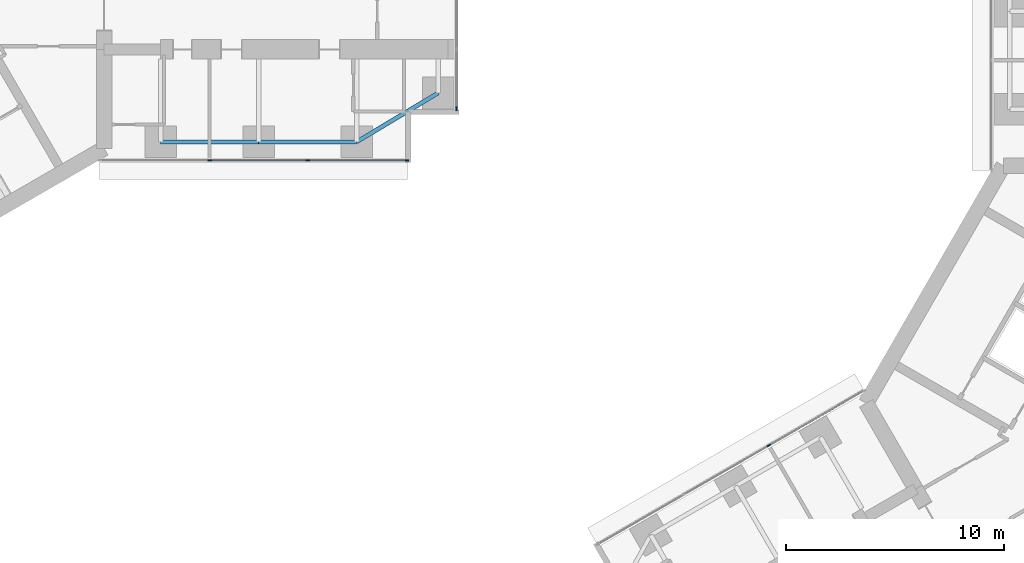
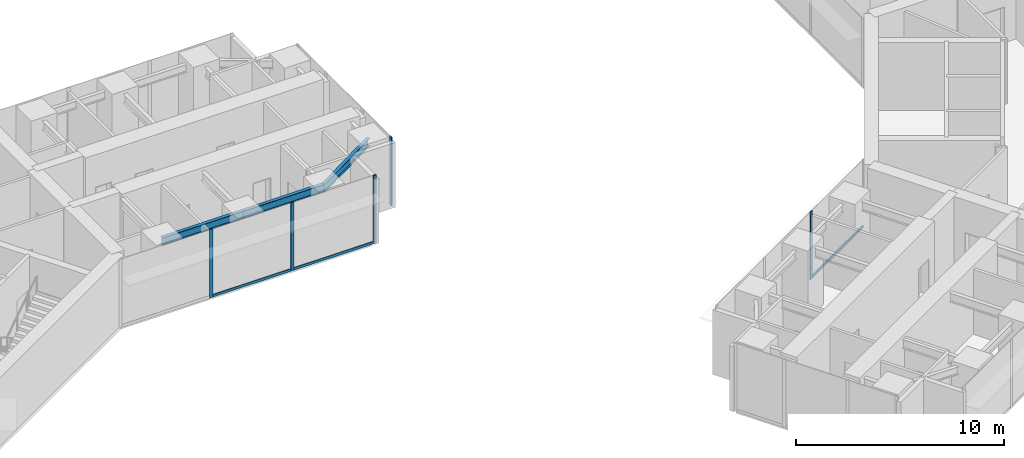
# One storey, part 5 of 24: 8 members, 3 beams, 3 elements without a shape of their own.
"""IFC4 building model written with IfcOpenShell, lengths in metres."""

from ifc_helpers import new_model, si_unit, direction, frame, origin, origin_2d, place, context, subcontext, project, spatial, rectangle, i_section, extrude, material, material_profile, profile_set, type_object, element, aggregate, save


model = new_model("IFC4")

# Units and contexts
model_context = context("Model", 3, precision=1e-05, world=origin(), true_north=direction((0.0, 1.0)))
body_context = subcontext(model_context, "Body", "Model", "MODEL_VIEW")
ifc_project = project(units=[si_unit("LENGTHUNIT", "METRE"), si_unit("AREAUNIT", "SQUARE_METRE"), si_unit("VOLUMEUNIT", "CUBIC_METRE"), si_unit("PLANEANGLEUNIT", "RADIAN"), si_unit("MASSUNIT", "GRAM", prefix="KILO")], contexts=[model_context])

# Site, building, storey
site_placement = place(None, origin())
site = spatial("IfcSite", under=ifc_project, at=site_placement, CompositionType="ELEMENT")
building_placement = place(site_placement, origin())
building = spatial("IfcBuilding", under=site, at=building_placement, Name="Upepo Twin Towers", CompositionType="ELEMENT")
storey_placement = place(building_placement, frame((0.0, 0.0, 48.5)))
storey = spatial("IfcBuildingStorey", under=building, at=storey_placement, Name="L11", CompositionType="ELEMENT", Elevation=48.5)

# Beams
ifc_material_1 = material(Name="Steel S355", Category="steel")
ifc_material_profile_1 = material_profile(ifc_material_1, i_section(OverallWidth=0.1904296875, OverallDepth=0.45703125, WebThickness=0.009033203125, FlangeThickness=0.014404296875, FilletRadius=0.01025390625, at=origin_2d()), Name="UB 457x191x74")
ifc_profile_set_1 = profile_set([ifc_material_profile_1], Name="Steel S355")
beam_type = type_object("IfcBeamType", Name="Beam UB 457x191x74", PredefinedType="BEAM", material=ifc_profile_set_1)
for number, where, z_axis, x_axis, name in (
    (1, (13.5, -6.0, 3.571533203125), (1.0, 0.0, 0.0), (0.0, 1.0, 0.0), "T1 edge beam AR 13.5-18.0"),
    (2, (18.0, -6.0, 3.571533203125), (1.0, 0.0, 0.0), (0.0, 1.0, 0.0), "T1 edge beam AR 18.0-22.5"),
):
    element("IfcBeam", number, at=place(storey_placement, frame(where, z_axis=z_axis, x_axis=x_axis)), inside=storey, type_object=beam_type, Name=name, PredefinedType="BEAM", context=body_context, shape_type="SweptSolid", body=[
        extrude(i_section(OverallWidth=0.1904296875, OverallDepth=0.45703125, WebThickness=0.009033203125, FlangeThickness=0.014404296875, FilletRadius=0.01025390625, at=origin_2d()), origin(), (0.0, 0.0, 1.0), 4.5),
    ])
beam_placement = place(storey_placement, frame((22.5, -6.0, 3.571533203125), z_axis=(0.857492925713, 0.514495755428, 0.0), x_axis=(-0.514495755428, 0.857492925713, 0.0)))
element("IfcBeam", 3, at=beam_placement, inside=storey, type_object=beam_type, Name="T1 nose edge beam AR", PredefinedType="BEAM", context=body_context, shape_type="SweptSolid", body=[
    extrude(i_section(OverallWidth=0.1904296875, OverallDepth=0.45703125, WebThickness=0.009033203125, FlangeThickness=0.014404296875, FilletRadius=0.01025390625, at=origin_2d()), origin(), (0.0, 0.0, 1.0), 4.373291015625),
])

# Curtain wall, members
ifc_material_2 = material(Name="Aluminium and fritted glass", Category="aluminium")
curtain_wall_type = type_object("IfcCurtainWallType", Name="Tower curtain wall TW1, fritted glass", PredefinedType="NOTDEFINED", material=ifc_material_2)
curtain_wall_1_placement = place(storey_placement, origin())
curtain_wall_1 = element("IfcCurtainWall", 4, at=curtain_wall_1_placement, inside=storey, type_object=curtain_wall_type, Name="T1 L11 wing A flank R curtain wall", PredefinedType="NOTDEFINED")
ifc_material_3 = material(Name="Aluminium mullion", Category="aluminium")
ifc_material_profile_2 = material_profile(ifc_material_3, rectangle(XDim=0.06494140625, YDim=0.179931640625, at=origin_2d()), Name="MULLION 65x180")
ifc_profile_set_2 = profile_set([ifc_material_profile_2], Name="Aluminium mullion")
member_type_1 = type_object("IfcMemberType", Name="Mullion 65x180 TW1", PredefinedType="MULLION", material=ifc_profile_set_2)
member_1_placement = place(storey_placement, frame((24.8173828125, -6.85009765625, 0.0), z_axis=(0.0, 0.0, 1.0), x_axis=(0.0, -1.0, 0.0)))
member_1 = element("IfcMember", 5, at=member_1_placement, type_object=member_type_1, Name="T1 L11 wing A flank R curtain wall mullion 1", PredefinedType="MULLION", context=body_context, shape_type="SweptSolid", body=[
    extrude(rectangle(XDim=0.06494140625, YDim=0.179931640625, at=origin_2d()), origin(), (0.0, 0.0, 1.0), 4.0),
])
member_2_placement = place(storey_placement, frame((20.25, -6.85009765625, 0.0), z_axis=(0.0, 0.0, 1.0), x_axis=(0.0, -1.0, 0.0)))
member_2 = element("IfcMember", 6, at=member_2_placement, type_object=member_type_1, Name="T1 L11 wing A flank R curtain wall mullion 2", PredefinedType="MULLION", context=body_context, shape_type="SweptSolid", body=[
    extrude(rectangle(XDim=0.06494140625, YDim=0.179931640625, at=origin_2d()), origin(), (0.0, 0.0, 1.0), 4.0),
])
member_3_placement = place(storey_placement, frame((15.75, -6.85009765625, 0.0), z_axis=(0.0, 0.0, 1.0), x_axis=(0.0, -1.0, 0.0)))
member_3 = element("IfcMember", 7, at=member_3_placement, type_object=member_type_1, Name="T1 L11 wing A flank R curtain wall mullion 3", PredefinedType="MULLION", context=body_context, shape_type="SweptSolid", body=[
    extrude(rectangle(XDim=0.06494140625, YDim=0.179931640625, at=origin_2d()), origin(), (0.0, 0.0, 1.0), 4.0),
])

# Curtain wall, member
curtain_wall_2_placement = place(storey_placement, origin())
curtain_wall_2 = element("IfcCurtainWall", 8, at=curtain_wall_2_placement, inside=storey, type_object=curtain_wall_type, Name="T1 L11 wing A nose curtain wall", PredefinedType="NOTDEFINED")
member_4_placement = place(storey_placement, frame((27.10009765625, -4.467529296875, 0.0), z_axis=(0.0, 0.0, 1.0), x_axis=(-1.0, 0.0, 0.0)))
member_4 = element("IfcMember", 9, at=member_4_placement, type_object=member_type_1, Name="T1 L11 wing A nose curtain wall mullion 1", PredefinedType="MULLION", context=body_context, shape_type="SweptSolid", body=[
    extrude(rectangle(XDim=0.06494140625, YDim=0.179931640625, at=origin_2d()), origin(), (0.0, 0.0, 1.0), 4.0),
])
aggregate(curtain_wall_2, [member_4])

curtain_wall_3_placement = place(storey_placement, origin())
curtain_wall_3 = element("IfcCurtainWall", 10, at=curtain_wall_3_placement, inside=storey, type_object=curtain_wall_type, Name="T2 L11 wing B flank R curtain wall", PredefinedType="NOTDEFINED")
member_5_placement = place(storey_placement, frame((41.43505859375, -19.942626953125, 0.0), z_axis=(0.0, 0.0, 1.0), x_axis=(-0.500000024426, 0.866025389682, 0.0)))
member_5 = element("IfcMember", 11, at=member_5_placement, type_object=member_type_1, Name="T2 L11 wing B flank R curtain wall mullion 3", PredefinedType="MULLION", context=body_context, shape_type="SweptSolid", body=[
    extrude(rectangle(XDim=0.06494140625, YDim=0.179931640625, at=origin_2d()), origin(), (0.0, 0.0, 1.0), 4.0),
])

# Member
ifc_material_4 = material(Name="Aluminium transom", Category="aluminium")
ifc_material_profile_3 = material_profile(ifc_material_4, rectangle(XDim=0.06494140625, YDim=0.14990234375, at=origin_2d()), Name="TRANSOM 65x150")
ifc_profile_set_3 = profile_set([ifc_material_profile_3], Name="Aluminium transom")
member_type_2 = type_object("IfcMemberType", Name="Transom 65x150 TW1", PredefinedType="USERDEFINED", material=ifc_profile_set_3)
member_6_placement = place(storey_placement, frame((24.784912109375, -6.85009765625, 0.074951171875), z_axis=(-1.0, 0.0, 0.0), x_axis=(0.0, -1.0, 0.0)))
member_6 = element("IfcMember", 12, at=member_6_placement, type_object=member_type_2, Name="T1 L11 wing A flank R curtain wall transom 1", ObjectType="TRANSOM", PredefinedType="USERDEFINED", context=body_context, shape_type="SweptSolid", body=[
    extrude(rectangle(XDim=0.06494140625, YDim=0.14990234375, at=origin_2d()), origin(), (0.0, 0.0, 1.0), 4.50244140625),
])

member_7_placement = place(storey_placement, frame((20.217529296875, -6.85009765625, 0.074951171875), z_axis=(-1.0, 0.0, 0.0), x_axis=(0.0, -1.0, 0.0)))
member_7 = element("IfcMember", 13, at=member_7_placement, type_object=member_type_2, Name="T1 L11 wing A flank R curtain wall transom 2", ObjectType="TRANSOM", PredefinedType="USERDEFINED", context=body_context, shape_type="SweptSolid", body=[
    extrude(rectangle(XDim=0.06494140625, YDim=0.14990234375, at=origin_2d()), origin(), (0.0, 0.0, 1.0), 4.43505859375),
])

aggregate(curtain_wall_1, [member_1, member_2, member_3, member_6, member_7])

member_8_placement = place(storey_placement, frame((41.463134765625, -19.926513671875, 0.074951171875), z_axis=(0.866034933967, 0.499983492876, 0.0), x_axis=(-0.499983492876, 0.866034933967, 0.0)))
member_8 = element("IfcMember", 14, at=member_8_placement, type_object=member_type_2, Name="T2 L11 wing B flank R curtain wall transom 3", ObjectType="TRANSOM", PredefinedType="USERDEFINED", context=body_context, shape_type="SweptSolid", body=[
    extrude(rectangle(XDim=0.06494140625, YDim=0.14990234375, at=origin_2d()), origin(), (0.0, 0.0, 1.0), 4.965576171875),
])

aggregate(curtain_wall_3, [member_5, member_8])

save(model, "model.ifc")
